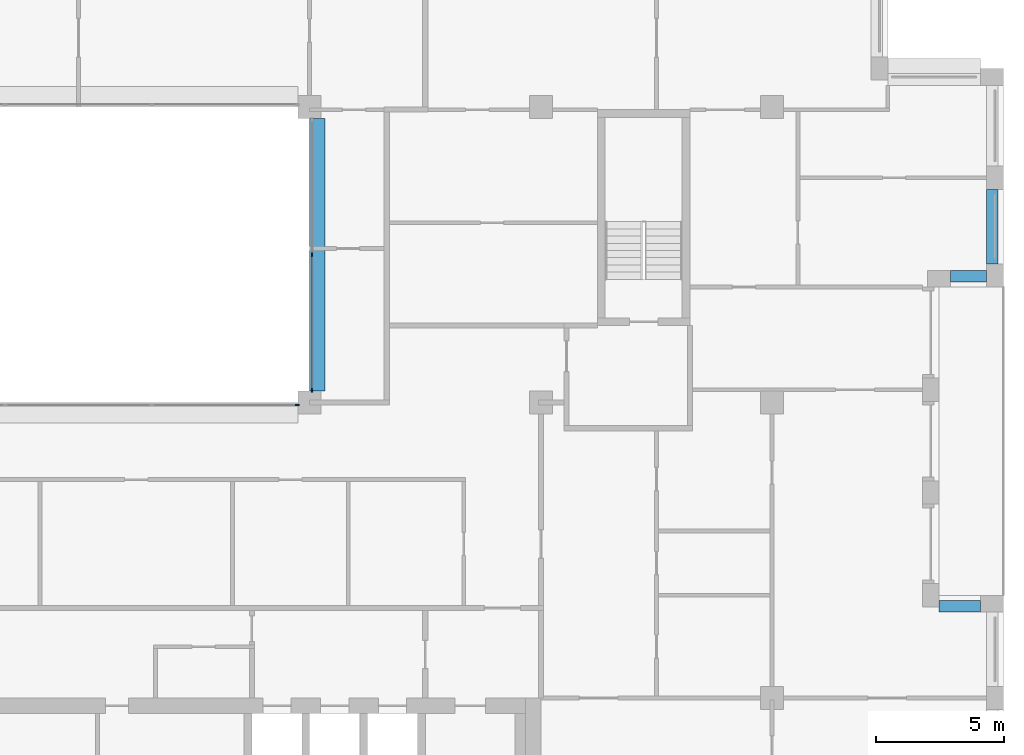
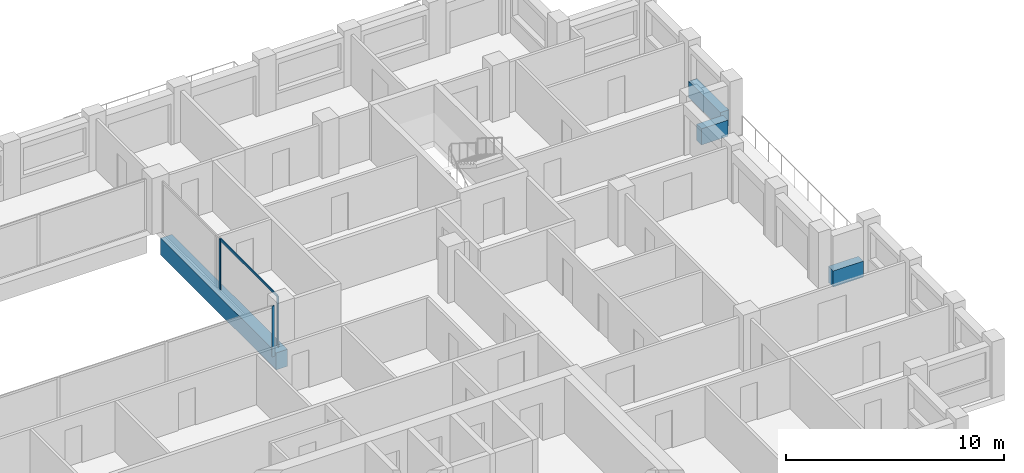
# One storey, part 4 of 15: 4 beams, 4 members, 2 elements without a shape of their own.
"""IFC4 building model written with IfcOpenShell, lengths in metres."""

from ifc_helpers import new_model, si_unit, direction, frame, origin, origin_2d, place, context, subcontext, project, spatial, rectangle, extrude, material, layer, layer_set, material_profile, profile_set, type_object, element, aggregate, save


model = new_model("IFC4")

# Units and contexts
model_context = context("Model", 3, precision=1e-05, world=origin(), true_north=direction((0.0, 1.0)))
body_context = subcontext(model_context, "Body", "Model", "MODEL_VIEW")
ifc_project = project(units=[si_unit("LENGTHUNIT", "METRE"), si_unit("AREAUNIT", "SQUARE_METRE"), si_unit("VOLUMEUNIT", "CUBIC_METRE"), si_unit("PLANEANGLEUNIT", "RADIAN"), si_unit("MASSUNIT", "GRAM", prefix="KILO")], contexts=[model_context])

# Site, building, storey
site_placement = place(None, origin())
site = spatial("IfcSite", under=ifc_project, at=site_placement, CompositionType="ELEMENT")
building_placement = place(site_placement, origin())
building = spatial("IfcBuilding", under=site, at=building_placement, Name="Brigalow Station Residences", CompositionType="ELEMENT")
storey_placement = place(building_placement, frame((0.0, 0.0, 229.5)))
storey = spatial("IfcBuildingStorey", under=building, at=storey_placement, Name="L66", CompositionType="ELEMENT", Elevation=229.5)

# Beam
ifc_material_1 = material(Name="Concrete C65", Category="concrete")
ifc_material_profile_1 = material_profile(ifc_material_1, rectangle(XDim=0.60009765625, YDim=0.949951171875, at=origin_2d()), Name="RC600x950")
ifc_profile_set_1 = profile_set([ifc_material_profile_1], Name="Concrete C65")
beam_type_1 = type_object("IfcBeamType", Name="ATRIUM EDGE GIRDER 600x950 C65", PredefinedType="BEAM", material=ifc_profile_set_1)
beam_1_placement = place(storey_placement, frame((45.300048828125, 24.449951171875, -0.794921875), z_axis=(0.0, 1.0, 0.0), x_axis=(-1.0, 0.0, 0.0)))
element("IfcBeam", 1, at=beam_1_placement, inside=storey, type_object=beam_type_1, Name="ATRIUM EDGE GIRDER 5 L66", PredefinedType="BEAM", context=body_context, shape_type="SweptSolid", body=[
    extrude(rectangle(XDim=0.60009765625, YDim=0.949951171875, at=origin_2d()), origin(), (0.0, 0.0, 1.0), 10.60009765625),
])

# Curtain wall, member
ifc_material_2 = material(Name="Aluminium", Category="aluminium")
ifc_layer = layer(ifc_material_2, 0.14990234375)
ifc_layer_set = layer_set([ifc_layer], Name="ATRIUM FIRE-RATED GLAZING CURTAIN WALL")
curtain_wall_type = type_object("IfcCurtainWallType", Name="ATRIUM FIRE-RATED GLAZING CURTAIN WALL", PredefinedType="NOTDEFINED", material=ifc_layer_set)
curtain_wall_1_placement = place(storey_placement, origin())
curtain_wall_1 = element("IfcCurtainWall", 2, at=curtain_wall_1_placement, inside=storey, type_object=curtain_wall_type, Name="L66/cw/atrium-S", PredefinedType="NOTDEFINED")
ifc_material_3 = material(Name="Aluminium", Category="aluminium")
ifc_material_profile_2 = material_profile(ifc_material_3, rectangle(XDim=0.06005859375, YDim=0.14990234375, at=origin_2d()), Name="ATRIUM FIRE-RATED GLAZING MULLION 60x150")
ifc_profile_set_2 = profile_set([ifc_material_profile_2], Name="Aluminium")
member_type_1 = type_object("IfcMemberType", Name="ATRIUM FIRE-RATED GLAZING MULLION 60x150", PredefinedType="MULLION", material=ifc_profile_set_2)
member_1_placement = place(storey_placement, frame((44.52001953125, 23.89990234375, 0.0), z_axis=(0.0, 0.0, 1.0), x_axis=(0.0, 1.0, 0.0)))
member_1 = element("IfcMember", 3, at=member_1_placement, type_object=member_type_1, Name="L66/cw/atrium-S/M03", PredefinedType="MULLION", context=body_context, shape_type="SweptSolid", body=[
    extrude(rectangle(XDim=0.06005859375, YDim=0.14990234375, at=origin_2d()), origin(), (0.0, 0.0, 1.0), 2.830078125),
])
aggregate(curtain_wall_1, [member_1])

# Curtain wall, members
curtain_wall_2_placement = place(storey_placement, origin())
curtain_wall_2 = element("IfcCurtainWall", 4, at=curtain_wall_2_placement, inside=storey, type_object=curtain_wall_type, Name="L66/cw/atrium-E", PredefinedType="NOTDEFINED")
member_2_placement = place(storey_placement, frame((45.10009765625, 24.47998046875, 0.0), z_axis=(0.0, 0.0, 1.0), x_axis=(-1.0, 0.0, 0.0)))
member_2 = element("IfcMember", 5, at=member_2_placement, type_object=member_type_1, Name="L66/cw/atrium-E/M00", PredefinedType="MULLION", context=body_context, shape_type="SweptSolid", body=[
    extrude(rectangle(XDim=0.06005859375, YDim=0.14990234375, at=origin_2d()), origin(), (0.0, 0.0, 1.0), 2.830078125),
])
member_3_placement = place(storey_placement, frame((45.10009765625, 29.75, 0.0), z_axis=(0.0, 0.0, 1.0), x_axis=(-1.0, 0.0, 0.0)))
member_3 = element("IfcMember", 6, at=member_3_placement, type_object=member_type_1, Name="L66/cw/atrium-E/M01", PredefinedType="MULLION", context=body_context, shape_type="SweptSolid", body=[
    extrude(rectangle(XDim=0.06005859375, YDim=0.14990234375, at=origin_2d()), origin(), (0.0, 0.0, 1.0), 2.830078125),
])
ifc_material_4 = material(Name="Aluminium", Category="aluminium")
ifc_material_profile_3 = material_profile(ifc_material_4, rectangle(XDim=0.06005859375, YDim=0.1201171875, at=origin_2d()), Name="ATRIUM FIRE-RATED GLAZING TRANSOM 60x120")
ifc_profile_set_3 = profile_set([ifc_material_profile_3], Name="Aluminium")
member_type_2 = type_object("IfcMemberType", Name="ATRIUM FIRE-RATED GLAZING TRANSOM 60x120", PredefinedType="USERDEFINED", material=ifc_profile_set_3)
member_4_placement = place(storey_placement, frame((45.10009765625, 24.510009765625, 2.800048828125), z_axis=(0.0, 1.0, 0.0), x_axis=(-1.0, 0.0, 0.0)))
member_4 = element("IfcMember", 7, at=member_4_placement, type_object=member_type_2, Name="L66/cw/atrium-E/T00-00", ObjectType="TRANSOM", PredefinedType="USERDEFINED", context=body_context, shape_type="SweptSolid", body=[
    extrude(rectangle(XDim=0.06005859375, YDim=0.1201171875, at=origin_2d()), origin(), (0.0, 0.0, 1.0), 5.2099609375),
])
aggregate(curtain_wall_2, [member_2, member_3, member_4])

# Beams
ifc_material_5 = material(Name="Concrete C50", Category="concrete")
ifc_material_profile_4 = material_profile(ifc_material_5, rectangle(XDim=0.449951171875, YDim=0.89990234375, at=origin_2d()), Name="RC450x900")
ifc_profile_set_4 = profile_set([ifc_material_profile_4], Name="Concrete C50")
beam_type_2 = type_object("IfcBeamType", Name="SPANDREL BEAM 450x900 C50", PredefinedType="SPANDREL", material=ifc_profile_set_4)
beam_2_placement = place(storey_placement, frame((71.10009765625, 16.074951171875, 0.449951171875), z_axis=(-1.0, 0.0, 0.0), x_axis=(0.0, -1.0, 0.0)))
element("IfcBeam", 8, at=beam_2_placement, inside=storey, type_object=beam_type_2, Name="L66/spandrel/W-L66-11", PredefinedType="SPANDREL", context=body_context, shape_type="SweptSolid", body=[
    extrude(rectangle(XDim=0.449951171875, YDim=0.89990234375, at=origin_2d()), origin(), (0.0, 0.0, 1.0), 1.60009765625),
])
beam_3_placement = place(storey_placement, frame((69.949951171875, 28.925048828125, 0.449951171875), z_axis=(1.0, 0.0, 0.0), x_axis=(0.0, 1.0, 0.0)))
element("IfcBeam", 9, at=beam_3_placement, inside=storey, type_object=beam_type_2, Name="L66/spandrel/W-L66-15", PredefinedType="SPANDREL", context=body_context, shape_type="SweptSolid", body=[
    extrude(rectangle(XDim=0.449951171875, YDim=0.89990234375, at=origin_2d()), origin(), (0.0, 0.0, 1.0), 1.400146484375),
])
beam_4_placement = place(storey_placement, frame((71.574951171875, 29.39990234375, 0.449951171875), z_axis=(0.0, 1.0, 0.0), x_axis=(-1.0, 0.0, 0.0)))
element("IfcBeam", 10, at=beam_4_placement, inside=storey, type_object=beam_type_2, Name="L66/spandrel/W-L66-16", PredefinedType="SPANDREL", context=body_context, shape_type="SweptSolid", body=[
    extrude(rectangle(XDim=0.449951171875, YDim=0.89990234375, at=origin_2d()), origin(), (0.0, 0.0, 1.0), 2.900146484375),
])

save(model, "model.ifc")
